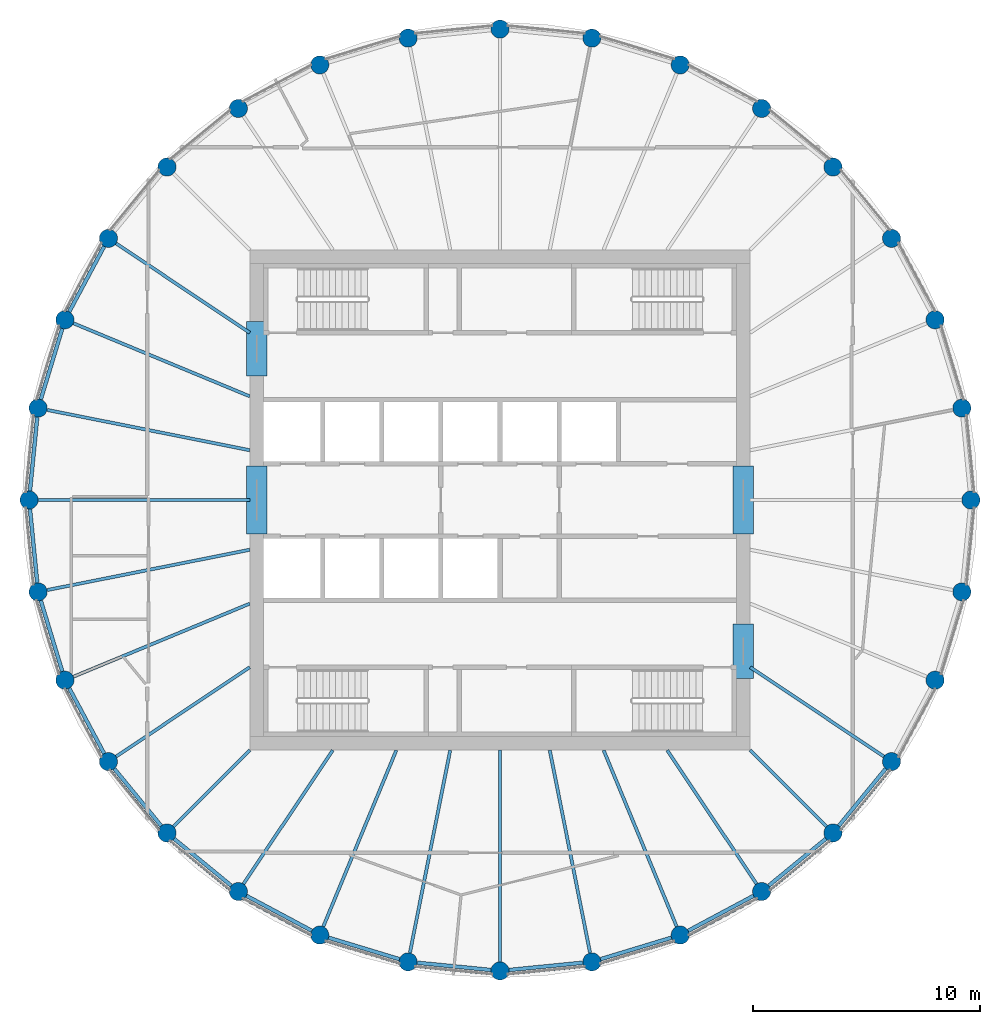
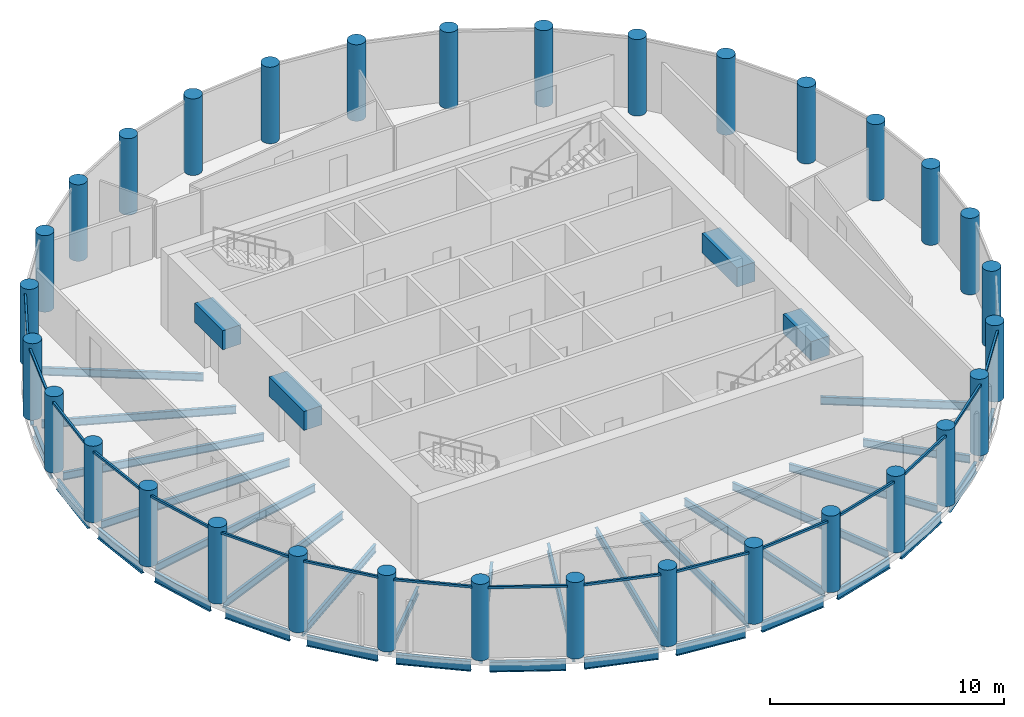
# One storey, part 1 of 7: 37 beams, 32 columns, 16 members, 16 elements without a shape of their own.
"""IFC4 building model written with IfcOpenShell, lengths in metres."""

from ifc_helpers import new_model, si_unit, direction, frame, origin, origin_2d, place, context, subcontext, project, spatial, rectangle, circle, i_section, extrude, material, material_profile, profile_set, type_object, element, aggregate, save


model = new_model("IFC4")

# Units and contexts
model_context = context("Model", 3, precision=1e-05, world=origin(), true_north=direction((0.0, 1.0)))
body_context = subcontext(model_context, "Body", "Model", "MODEL_VIEW")
ifc_project = project(units=[si_unit("LENGTHUNIT", "METRE"), si_unit("AREAUNIT", "SQUARE_METRE"), si_unit("VOLUMEUNIT", "CUBIC_METRE"), si_unit("PLANEANGLEUNIT", "RADIAN"), si_unit("MASSUNIT", "GRAM", prefix="KILO")], contexts=[model_context])

# Site, building, storey
site_placement = place(None, origin())
site = spatial("IfcSite", under=ifc_project, at=site_placement, CompositionType="ELEMENT")
building_placement = place(site_placement, origin())
building = spatial("IfcBuilding", under=site, at=building_placement, Name="Corvane Civic Tower", CompositionType="ELEMENT")
storey_placement = place(building_placement, frame((0.0, 0.0, 348.5)))
storey = spatial("IfcBuildingStorey", under=building, at=storey_placement, Name="L83", CompositionType="ELEMENT", Elevation=348.5)

# Columns
ifc_material_1 = material(Name="Concrete C60/75", Category="concrete")
ifc_material_profile_1 = material_profile(ifc_material_1, circle(Radius=0.39990234375, at=origin_2d()), Name="COLUMN 800")
ifc_profile_set_1 = profile_set([ifc_material_profile_1], Name="Concrete C60/75")
column_type = type_object("IfcColumnType", Name="RC COLUMN COLUMN 800", PredefinedType="COLUMN", material=ifc_profile_set_1)
for number, where, z_axis, x_axis, name in (
    (1, (0.0, 20.699951171875, 0.0), (0.0, 0.0, 1.0), (1.0, 0.0, 0.0), "COL-L83-F01"),
    (2, (4.038330078125, 20.30224609375, 0.0), (0.0, 0.0, 1.0), (1.0, 0.0, 0.0), "COL-L83-F02"),
    (3, (7.921630859375, 19.124267578125, 0.0), (0.0, 0.0, 1.0), (1.0, 0.0, 0.0), "COL-L83-F03"),
    (4, (11.500244140625, 17.21142578125, 0.0), (0.0, 0.0, 1.0), (1.0, 0.0, 0.0), "COL-L83-F04"),
    (5, (14.63720703125, 14.63720703125, 0.0), (0.0, 0.0, 1.0), (1.0, 0.0, 0.0), "COL-L83-F05"),
    (6, (17.21142578125, 11.500244140625, 0.0), (0.0, 0.0, 1.0), (1.0, 0.0, 0.0), "COL-L83-F06"),
    (7, (19.124267578125, 7.921630859375, 0.0), (0.0, 0.0, 1.0), (1.0, 0.0, 0.0), "COL-L83-F07"),
    (8, (20.30224609375, 4.038330078125, 0.0), (0.0, 0.0, 1.0), (1.0, 0.0, 0.0), "COL-L83-F08"),
    (9, (20.699951171875, 0.0, 0.0), (0.0, 0.0, 1.0), (1.0, 0.0, 0.0), "COL-L83-F09"),
    (10, (20.30224609375, -4.038330078125, 0.0), (0.0, 0.0, 1.0), (1.0, 0.0, 0.0), "COL-L83-F10"),
    (11, (19.124267578125, -7.921630859375, 0.0), (0.0, 0.0, 1.0), (1.0, 0.0, 0.0), "COL-L83-F11"),
    (12, (17.21142578125, -11.500244140625, 0.0), (0.0, 0.0, 1.0), (1.0, 0.0, 0.0), "COL-L83-F12"),
    (13, (14.63720703125, -14.63720703125, 0.0), (0.0, 0.0, 1.0), (1.0, 0.0, 0.0), "COL-L83-F13"),
    (14, (11.500244140625, -17.21142578125, 0.0), (0.0, 0.0, 1.0), (1.0, 0.0, 0.0), "COL-L83-F14"),
    (15, (7.921630859375, -19.124267578125, 0.0), (0.0, 0.0, 1.0), (1.0, 0.0, 0.0), "COL-L83-F15"),
    (16, (4.038330078125, -20.30224609375, 0.0), (0.0, 0.0, 1.0), (1.0, 0.0, 0.0), "COL-L83-F16"),
    (17, (0.0, -20.699951171875, 0.0), (0.0, 0.0, 1.0), (1.0, 0.0, 0.0), "COL-L83-F17"),
    (18, (-4.038330078125, -20.30224609375, 0.0), (0.0, 0.0, 1.0), (1.0, 0.0, 0.0), "COL-L83-F18"),
    (19, (-7.921630859375, -19.124267578125, 0.0), (0.0, 0.0, 1.0), (1.0, 0.0, 0.0), "COL-L83-F19"),
    (20, (-11.500244140625, -17.21142578125, 0.0), (0.0, 0.0, 1.0), (1.0, 0.0, 0.0), "COL-L83-F20"),
    (21, (-14.63720703125, -14.63720703125, 0.0), (0.0, 0.0, 1.0), (1.0, 0.0, 0.0), "COL-L83-F21"),
    (22, (-17.21142578125, -11.500244140625, 0.0), (0.0, 0.0, 1.0), (1.0, 0.0, 0.0), "COL-L83-F22"),
    (23, (-19.124267578125, -7.921630859375, 0.0), (0.0, 0.0, 1.0), (1.0, 0.0, 0.0), "COL-L83-F23"),
    (24, (-20.30224609375, -4.038330078125, 0.0), (0.0, 0.0, 1.0), (1.0, 0.0, 0.0), "COL-L83-F24"),
    (25, (-20.699951171875, 0.0, 0.0), (0.0, 0.0, 1.0), (1.0, 0.0, 0.0), "COL-L83-F25"),
    (26, (-20.30224609375, 4.038330078125, 0.0), (0.0, 0.0, 1.0), (1.0, 0.0, 0.0), "COL-L83-F26"),
    (27, (-19.124267578125, 7.921630859375, 0.0), (0.0, 0.0, 1.0), (1.0, 0.0, 0.0), "COL-L83-F27"),
    (28, (-17.21142578125, 11.500244140625, 0.0), (0.0, 0.0, 1.0), (1.0, 0.0, 0.0), "COL-L83-F28"),
    (29, (-14.63720703125, 14.63720703125, 0.0), (0.0, 0.0, 1.0), (1.0, 0.0, 0.0), "COL-L83-F29"),
    (30, (-11.500244140625, 17.21142578125, 0.0), (0.0, 0.0, 1.0), (1.0, 0.0, 0.0), "COL-L83-F30"),
    (31, (-7.921630859375, 19.124267578125, 0.0), (0.0, 0.0, 1.0), (1.0, 0.0, 0.0), "COL-L83-F31"),
    (32, (-4.038330078125, 20.30224609375, 0.0), (0.0, 0.0, 1.0), (1.0, 0.0, 0.0), "COL-L83-F32"),
):
    element("IfcColumn", number, at=place(storey_placement, frame(where, z_axis=z_axis, x_axis=x_axis)), inside=storey, type_object=column_type, Name=name, PredefinedType="COLUMN", context=body_context, shape_type="SweptSolid", body=[
        extrude(circle(Radius=0.39990234375, at=origin_2d()), origin(), (0.0, 0.0, 1.0), 4.0),
    ])

# Beams
ifc_material_2 = material(Name="Concrete C40/50", Category="concrete")
ifc_material_profile_2 = material_profile(ifc_material_2, rectangle(XDim=0.89990234375, YDim=1.0, at=origin_2d()), Name="COUPLING BEAM 900X1000")
ifc_profile_set_2 = profile_set([ifc_material_profile_2], Name="Concrete C40/50")
beam_type_1 = type_object("IfcBeamType", Name="COUPLING BEAM COUPLING BEAM 900X1000", PredefinedType="BEAM", material=ifc_profile_set_2)
for number, where, z_axis, x_axis, name in (
    (33, (-10.699951171875, -1.5, 2.60009765625), (0.0, 1.0, 0.0), (-1.0, 0.0, 0.0), "BM-L83-cpl-CW-LW"),
    (34, (10.699951171875, -1.5, 2.60009765625), (0.0, 1.0, 0.0), (-1.0, 0.0, 0.0), "BM-L83-cpl-CW-LE"),
):
    element("IfcBeam", number, at=place(storey_placement, frame(where, z_axis=z_axis, x_axis=x_axis)), inside=storey, type_object=beam_type_1, Name=name, PredefinedType="BEAM", context=body_context, shape_type="SweptSolid", body=[
        extrude(rectangle(XDim=0.89990234375, YDim=1.0, at=origin_2d()), origin(), (0.0, 0.0, 1.0), 3.0),
    ])
for number, where, z_axis, x_axis, name in (
    (35, (-10.699951171875, 5.449951171875, 2.60009765625), (0.0, 1.0, 0.0), (-1.0, 0.0, 0.0), "BM-L83-cpl-CW-WN"),
    (36, (10.699951171875, -7.85009765625, 2.60009765625), (0.0, 1.0, 0.0), (-1.0, 0.0, 0.0), "BM-L83-cpl-CW-ES"),
):
    element("IfcBeam", number, at=place(storey_placement, frame(where, z_axis=z_axis, x_axis=x_axis)), inside=storey, type_object=beam_type_1, Name=name, PredefinedType="BEAM", context=body_context, shape_type="SweptSolid", body=[
        extrude(rectangle(XDim=0.89990234375, YDim=1.0, at=origin_2d()), origin(), (0.0, 0.0, 1.0), 2.400146484375),
    ])
ifc_material_3 = material(Name="Steel ASTM A992 Gr 50", Category="steel")
ifc_material_profile_3 = material_profile(ifc_material_3, i_section(OverallWidth=0.165771484375, OverallDepth=0.5283203125, WebThickness=0.009765625, FlangeThickness=0.013671875, at=origin_2d()), Name="W21X50")
ifc_profile_set_3 = profile_set([ifc_material_profile_3], Name="Steel ASTM A992 Gr 50")
beam_type_2 = type_object("IfcBeamType", Name="EDGE BEAM W21X50", PredefinedType="BEAM", material=ifc_profile_set_3)
for number, where, z_axis, x_axis, name in (
    (37, (16.957763671875, -11.8095703125, -0.564208984375), (-0.634424551454, -0.772984791903, 0.0), (0.772984791903, -0.634424551454, 0.0), "BM-L83-E12"),
    (38, (14.327880859375, -14.890869140625, -0.564208984375), (-0.772984791903, -0.634424551454, 0.0), (0.634424551454, -0.772984791903, 0.0), "BM-L83-E13"),
    (39, (11.1474609375, -17.39990234375, -0.564208984375), (-0.881894065907, -0.471447618, 0.0), (0.471447618, -0.881894065907, 0.0), "BM-L83-E14"),
    (40, (7.538818359375, -19.240478515625, -0.564208984375), (-0.956955679349, -0.290234091317, 0.0), (0.290234091317, -0.956955679349, 0.0), "BM-L83-E15"),
):
    element("IfcBeam", number, at=place(storey_placement, frame(where, z_axis=z_axis, x_axis=x_axis)), inside=storey, type_object=beam_type_2, Name=name, PredefinedType="BEAM", context=body_context, shape_type="SweptSolid", body=[
        extrude(i_section(OverallWidth=0.165771484375, OverallDepth=0.5283203125, WebThickness=0.009765625, FlangeThickness=0.013671875, at=origin_2d()), origin(), (0.0, 0.0, 1.0), 3.2578125),
    ])
for number, where, z_axis, x_axis, name in (
    (41, (3.640380859375, -20.341552734375, -0.564208984375), (-0.995192503142, -0.097938152369, 0.0), (0.097938152369, -0.995192503142, 0.0), "BM-L83-E16"),
    (42, (-0.39794921875, -20.66064453125, -0.564208984375), (-0.995192503142, 0.097938152369, 0.0), (-0.097938152369, -0.995192503142, 0.0), "BM-L83-E17"),
):
    element("IfcBeam", number, at=place(storey_placement, frame(where, z_axis=z_axis, x_axis=x_axis)), inside=storey, type_object=beam_type_2, Name=name, PredefinedType="BEAM", context=body_context, shape_type="SweptSolid", body=[
        extrude(i_section(OverallWidth=0.165771484375, OverallDepth=0.5283203125, WebThickness=0.009765625, FlangeThickness=0.013671875, at=origin_2d()), origin(), (0.0, 0.0, 1.0), 3.258056640625),
    ])
for number, where, z_axis, x_axis, name in (
    (43, (-4.421142578125, -20.18603515625, -0.564208984375), (-0.956955679349, 0.290234091317, 0.0), (-0.290234091317, -0.956955679349, 0.0), "BM-L83-E18"),
    (44, (-8.2744140625, -18.935791015625, -0.564208984375), (-0.881894065907, 0.471447618, 0.0), (-0.471447618, -0.881894065907, 0.0), "BM-L83-E19"),
    (45, (-11.8095703125, -16.957763671875, -0.564208984375), (-0.772984791903, 0.634424551454, 0.0), (-0.634424551454, -0.772984791903, 0.0), "BM-L83-E20"),
    (46, (-14.890869140625, -14.327880859375, -0.564208984375), (-0.634424551454, 0.772984791903, 0.0), (-0.772984791903, -0.634424551454, 0.0), "BM-L83-E21"),
    (47, (-17.39990234375, -11.1474609375, -0.564208984375), (-0.471447618, 0.881894065907, 0.0), (-0.881894065907, -0.471447618, 0.0), "BM-L83-E22"),
    (48, (-19.240478515625, -7.538818359375, -0.564208984375), (-0.290234091317, 0.956955679349, 0.0), (-0.956955679349, -0.290234091317, 0.0), "BM-L83-E23"),
):
    element("IfcBeam", number, at=place(storey_placement, frame(where, z_axis=z_axis, x_axis=x_axis)), inside=storey, type_object=beam_type_2, Name=name, PredefinedType="BEAM", context=body_context, shape_type="SweptSolid", body=[
        extrude(i_section(OverallWidth=0.165771484375, OverallDepth=0.5283203125, WebThickness=0.009765625, FlangeThickness=0.013671875, at=origin_2d()), origin(), (0.0, 0.0, 1.0), 3.2578125),
    ])
for number, where, z_axis, x_axis, name in (
    (49, (-20.341552734375, -3.640380859375, -0.564208984375), (-0.097938152369, 0.995192503142, 0.0), (-0.995192503142, -0.097938152369, 0.0), "BM-L83-E24"),
    (50, (-20.66064453125, 0.39794921875, -0.564208984375), (0.097938152369, 0.995192503142, 0.0), (-0.995192503142, 0.097938152369, 0.0), "BM-L83-E25"),
):
    element("IfcBeam", number, at=place(storey_placement, frame(where, z_axis=z_axis, x_axis=x_axis)), inside=storey, type_object=beam_type_2, Name=name, PredefinedType="BEAM", context=body_context, shape_type="SweptSolid", body=[
        extrude(i_section(OverallWidth=0.165771484375, OverallDepth=0.5283203125, WebThickness=0.009765625, FlangeThickness=0.013671875, at=origin_2d()), origin(), (0.0, 0.0, 1.0), 3.258056640625),
    ])
for number, where, z_axis, x_axis, name in (
    (51, (-20.18603515625, 4.421142578125, -0.564208984375), (0.290234091317, 0.956955679349, 0.0), (-0.956955679349, 0.290234091317, 0.0), "BM-L83-E26"),
    (52, (-18.935791015625, 8.2744140625, -0.564208984375), (0.471447618, 0.881894065907, 0.0), (-0.881894065907, 0.471447618, 0.0), "BM-L83-E27"),
):
    element("IfcBeam", number, at=place(storey_placement, frame(where, z_axis=z_axis, x_axis=x_axis)), inside=storey, type_object=beam_type_2, Name=name, PredefinedType="BEAM", context=body_context, shape_type="SweptSolid", body=[
        extrude(i_section(OverallWidth=0.165771484375, OverallDepth=0.5283203125, WebThickness=0.009765625, FlangeThickness=0.013671875, at=origin_2d()), origin(), (0.0, 0.0, 1.0), 3.2578125),
    ])
ifc_material_4 = material(Name="Steel ASTM A992 Gr 50", Category="steel")
ifc_material_profile_4 = material_profile(ifc_material_4, i_section(OverallWidth=0.140380859375, OverallDepth=0.40380859375, WebThickness=0.007080078125, FlangeThickness=0.01123046875, at=origin_2d()), Name="W16X31")
ifc_profile_set_4 = profile_set([ifc_material_profile_4], Name="Steel ASTM A992 Gr 50")
beam_type_3 = type_object("IfcBeamType", Name="FLOOR GIRDER W16X31", PredefinedType="BEAM", material=ifc_profile_set_4)
beam_1_placement = place(storey_placement, frame((11.0, -7.349853515625, -0.501953125), z_axis=(0.831465490699, -0.555576401385, 0.0), x_axis=(0.555576401385, 0.831465490699, 0.0)))
element("IfcBeam", 53, at=beam_1_placement, inside=storey, type_object=beam_type_3, Name="BM-L83-G12", PredefinedType="BEAM", context=body_context, shape_type="SweptSolid", body=[
    extrude(i_section(OverallWidth=0.140380859375, OverallDepth=0.40380859375, WebThickness=0.007080078125, FlangeThickness=0.01123046875, at=origin_2d()), origin(), (0.0, 0.0, 1.0), 7.070556640625),
])
beam_2_placement = place(storey_placement, frame((11.0, -11.0, -0.501953125), z_axis=(0.707106781187, -0.707106781187, 0.0), x_axis=(0.707106781187, 0.707106781187, 0.0)))
element("IfcBeam", 54, at=beam_2_placement, inside=storey, type_object=beam_type_3, Name="BM-L83-G13", PredefinedType="BEAM", context=body_context, shape_type="SweptSolid", body=[
    extrude(i_section(OverallWidth=0.140380859375, OverallDepth=0.40380859375, WebThickness=0.007080078125, FlangeThickness=0.01123046875, at=origin_2d()), origin(), (0.0, 0.0, 1.0), 4.74365234375),
])
beam_3_placement = place(storey_placement, frame((7.349853515625, -11.0, -0.501953125), z_axis=(0.555576401385, -0.831465490699, 0.0), x_axis=(0.831465490699, 0.555576401385, 0.0)))
element("IfcBeam", 55, at=beam_3_placement, inside=storey, type_object=beam_type_3, Name="BM-L83-G14", PredefinedType="BEAM", context=body_context, shape_type="SweptSolid", body=[
    extrude(i_section(OverallWidth=0.140380859375, OverallDepth=0.40380859375, WebThickness=0.007080078125, FlangeThickness=0.01123046875, at=origin_2d()), origin(), (0.0, 0.0, 1.0), 7.070556640625),
])
beam_4_placement = place(storey_placement, frame((4.556396484375, -11.0, -0.501953125), z_axis=(0.382691739894, -0.923876091377, 0.0), x_axis=(0.923876091377, 0.382691739894, 0.0)))
element("IfcBeam", 56, at=beam_4_placement, inside=storey, type_object=beam_type_3, Name="BM-L83-G15", PredefinedType="BEAM", context=body_context, shape_type="SweptSolid", body=[
    extrude(i_section(OverallWidth=0.140380859375, OverallDepth=0.40380859375, WebThickness=0.007080078125, FlangeThickness=0.01123046875, at=origin_2d()), origin(), (0.0, 0.0, 1.0), 8.3935546875),
])
beam_5_placement = place(storey_placement, frame((2.18798828125, -11.0, -0.501953125), z_axis=(0.195108241061, -0.980781715913, 0.0), x_axis=(0.980781715913, 0.195108241061, 0.0)))
element("IfcBeam", 57, at=beam_5_placement, inside=storey, type_object=beam_type_3, Name="BM-L83-G16", PredefinedType="BEAM", context=body_context, shape_type="SweptSolid", body=[
    extrude(i_section(OverallWidth=0.140380859375, OverallDepth=0.40380859375, WebThickness=0.007080078125, FlangeThickness=0.01123046875, at=origin_2d()), origin(), (0.0, 0.0, 1.0), 9.08447265625),
])
beam_6_placement = place(storey_placement, frame((0.0, -11.0, -0.501953125), z_axis=(0.0, -1.0, 0.0), x_axis=(1.0, 0.0, 0.0)))
element("IfcBeam", 58, at=beam_6_placement, inside=storey, type_object=beam_type_3, Name="BM-L83-G17", PredefinedType="BEAM", context=body_context, shape_type="SweptSolid", body=[
    extrude(i_section(OverallWidth=0.140380859375, OverallDepth=0.40380859375, WebThickness=0.007080078125, FlangeThickness=0.01123046875, at=origin_2d()), origin(), (0.0, 0.0, 1.0), 9.300048828125),
])
beam_7_placement = place(storey_placement, frame((-2.18798828125, -11.0, -0.501953125), z_axis=(-0.195108241061, -0.980781715913, 0.0), x_axis=(0.980781715913, -0.195108241061, 0.0)))
element("IfcBeam", 59, at=beam_7_placement, inside=storey, type_object=beam_type_3, Name="BM-L83-G18", PredefinedType="BEAM", context=body_context, shape_type="SweptSolid", body=[
    extrude(i_section(OverallWidth=0.140380859375, OverallDepth=0.40380859375, WebThickness=0.007080078125, FlangeThickness=0.01123046875, at=origin_2d()), origin(), (0.0, 0.0, 1.0), 9.08447265625),
])
beam_8_placement = place(storey_placement, frame((-4.556396484375, -11.0, -0.501953125), z_axis=(-0.382691739894, -0.923876091377, 0.0), x_axis=(0.923876091377, -0.382691739894, 0.0)))
element("IfcBeam", 60, at=beam_8_placement, inside=storey, type_object=beam_type_3, Name="BM-L83-G19", PredefinedType="BEAM", context=body_context, shape_type="SweptSolid", body=[
    extrude(i_section(OverallWidth=0.140380859375, OverallDepth=0.40380859375, WebThickness=0.007080078125, FlangeThickness=0.01123046875, at=origin_2d()), origin(), (0.0, 0.0, 1.0), 8.3935546875),
])
beam_9_placement = place(storey_placement, frame((-7.349853515625, -11.0, -0.501953125), z_axis=(-0.555576401385, -0.831465490699, 0.0), x_axis=(0.831465490699, -0.555576401385, 0.0)))
element("IfcBeam", 61, at=beam_9_placement, inside=storey, type_object=beam_type_3, Name="BM-L83-G20", PredefinedType="BEAM", context=body_context, shape_type="SweptSolid", body=[
    extrude(i_section(OverallWidth=0.140380859375, OverallDepth=0.40380859375, WebThickness=0.007080078125, FlangeThickness=0.01123046875, at=origin_2d()), origin(), (0.0, 0.0, 1.0), 7.070556640625),
])
beam_10_placement = place(storey_placement, frame((-11.0, -11.0, -0.501953125), z_axis=(-0.707106781187, -0.707106781187, 0.0), x_axis=(0.707106781187, -0.707106781187, 0.0)))
element("IfcBeam", 62, at=beam_10_placement, inside=storey, type_object=beam_type_3, Name="BM-L83-G21", PredefinedType="BEAM", context=body_context, shape_type="SweptSolid", body=[
    extrude(i_section(OverallWidth=0.140380859375, OverallDepth=0.40380859375, WebThickness=0.007080078125, FlangeThickness=0.01123046875, at=origin_2d()), origin(), (0.0, 0.0, 1.0), 4.74365234375),
])
beam_11_placement = place(storey_placement, frame((-11.0, -7.349853515625, -0.501953125), z_axis=(-0.831465490699, -0.555576401385, 0.0), x_axis=(0.555576401385, -0.831465490699, 0.0)))
element("IfcBeam", 63, at=beam_11_placement, inside=storey, type_object=beam_type_3, Name="BM-L83-G22", PredefinedType="BEAM", context=body_context, shape_type="SweptSolid", body=[
    extrude(i_section(OverallWidth=0.140380859375, OverallDepth=0.40380859375, WebThickness=0.007080078125, FlangeThickness=0.01123046875, at=origin_2d()), origin(), (0.0, 0.0, 1.0), 7.070556640625),
])
beam_12_placement = place(storey_placement, frame((-11.0, -4.556396484375, -0.501953125), z_axis=(-0.923876091377, -0.382691739894, 0.0), x_axis=(0.382691739894, -0.923876091377, 0.0)))
element("IfcBeam", 64, at=beam_12_placement, inside=storey, type_object=beam_type_3, Name="BM-L83-G23", PredefinedType="BEAM", context=body_context, shape_type="SweptSolid", body=[
    extrude(i_section(OverallWidth=0.140380859375, OverallDepth=0.40380859375, WebThickness=0.007080078125, FlangeThickness=0.01123046875, at=origin_2d()), origin(), (0.0, 0.0, 1.0), 8.3935546875),
])
beam_13_placement = place(storey_placement, frame((-11.0, -2.18798828125, -0.501953125), z_axis=(-0.980781715913, -0.195108241061, 0.0), x_axis=(0.195108241061, -0.980781715913, 0.0)))
element("IfcBeam", 65, at=beam_13_placement, inside=storey, type_object=beam_type_3, Name="BM-L83-G24", PredefinedType="BEAM", context=body_context, shape_type="SweptSolid", body=[
    extrude(i_section(OverallWidth=0.140380859375, OverallDepth=0.40380859375, WebThickness=0.007080078125, FlangeThickness=0.01123046875, at=origin_2d()), origin(), (0.0, 0.0, 1.0), 9.08447265625),
])
beam_14_placement = place(storey_placement, frame((-11.0, 0.0, -0.501953125), z_axis=(-1.0, 0.0, 0.0), x_axis=(0.0, -1.0, 0.0)))
element("IfcBeam", 66, at=beam_14_placement, inside=storey, type_object=beam_type_3, Name="BM-L83-G25", PredefinedType="BEAM", context=body_context, shape_type="SweptSolid", body=[
    extrude(i_section(OverallWidth=0.140380859375, OverallDepth=0.40380859375, WebThickness=0.007080078125, FlangeThickness=0.01123046875, at=origin_2d()), origin(), (0.0, 0.0, 1.0), 9.300048828125),
])
beam_15_placement = place(storey_placement, frame((-11.0, 2.18798828125, -0.501953125), z_axis=(-0.980781715913, 0.195108241061, 0.0), x_axis=(-0.195108241061, -0.980781715913, 0.0)))
element("IfcBeam", 67, at=beam_15_placement, inside=storey, type_object=beam_type_3, Name="BM-L83-G26", PredefinedType="BEAM", context=body_context, shape_type="SweptSolid", body=[
    extrude(i_section(OverallWidth=0.140380859375, OverallDepth=0.40380859375, WebThickness=0.007080078125, FlangeThickness=0.01123046875, at=origin_2d()), origin(), (0.0, 0.0, 1.0), 9.08447265625),
])
beam_16_placement = place(storey_placement, frame((-11.0, 4.556396484375, -0.501953125), z_axis=(-0.923876091377, 0.382691739894, 0.0), x_axis=(-0.382691739894, -0.923876091377, 0.0)))
element("IfcBeam", 68, at=beam_16_placement, inside=storey, type_object=beam_type_3, Name="BM-L83-G27", PredefinedType="BEAM", context=body_context, shape_type="SweptSolid", body=[
    extrude(i_section(OverallWidth=0.140380859375, OverallDepth=0.40380859375, WebThickness=0.007080078125, FlangeThickness=0.01123046875, at=origin_2d()), origin(), (0.0, 0.0, 1.0), 8.3935546875),
])
beam_17_placement = place(storey_placement, frame((-11.0, 7.349853515625, -0.501953125), z_axis=(-0.831465490699, 0.555576401385, 0.0), x_axis=(-0.555576401385, -0.831465490699, 0.0)))
element("IfcBeam", 69, at=beam_17_placement, inside=storey, type_object=beam_type_3, Name="BM-L83-G28", PredefinedType="BEAM", context=body_context, shape_type="SweptSolid", body=[
    extrude(i_section(OverallWidth=0.140380859375, OverallDepth=0.40380859375, WebThickness=0.007080078125, FlangeThickness=0.01123046875, at=origin_2d()), origin(), (0.0, 0.0, 1.0), 7.070556640625),
])

# Curtain wall, member
ifc_material_5 = material(Name="Anodised aluminium bronze", Category="aluminium")
curtain_wall_type = type_object("IfcCurtainWallType", Name="TOWER CW-T3 STICK CURTAIN WALL", PredefinedType="NOTDEFINED", material=ifc_material_5)
curtain_wall_1_placement = place(storey_placement, origin())
curtain_wall_1 = element("IfcCurtainWall", 70, at=curtain_wall_1_placement, inside=storey, type_object=curtain_wall_type, Name="Curtain wall CW-T3 L83 bay 12", PredefinedType="NOTDEFINED")
ifc_material_6 = material(Name="Anodised aluminium bronze", Category="aluminium")
ifc_material_profile_5 = material_profile(ifc_material_6, rectangle(XDim=0.10009765625, YDim=0.1201171875, at=origin_2d()), Name="TOWER CW-T3 TRANSOM 100x120")
ifc_profile_set_5 = profile_set([ifc_material_profile_5], Name="Anodised aluminium bronze")
member_type = type_object("IfcMemberType", Name="TOWER CW-T3 TRANSOM 100x120", PredefinedType="USERDEFINED", material=ifc_profile_set_5)
member_1_placement = place(storey_placement, frame((17.14208984375, -11.8671875, 3.68994140625), z_axis=(-0.634393571736, -0.773010217358, 0.0), x_axis=(0.773010217358, -0.634393571736, 0.0)))
member_1 = element("IfcMember", 71, at=member_1_placement, type_object=member_type, Name="Transom CW-T3 L83 12.1", ObjectType="TRANSOM", PredefinedType="USERDEFINED", context=body_context, shape_type="SweptSolid", body=[
    extrude(rectangle(XDim=0.10009765625, YDim=0.1201171875, at=origin_2d()), origin(), (0.0, 0.0, 1.0), 3.40283203125),
])
aggregate(curtain_wall_1, [member_1])

curtain_wall_2_placement = place(storey_placement, origin())
curtain_wall_2 = element("IfcCurtainWall", 72, at=curtain_wall_2_placement, inside=storey, type_object=curtain_wall_type, Name="Curtain wall CW-T3 L83 bay 13", PredefinedType="NOTDEFINED")
member_2_placement = place(storey_placement, frame((14.49755859375, -14.9833984375, 3.68994140625), z_axis=(-0.773010217358, -0.634393571736, 0.0), x_axis=(0.634393571736, -0.773010217358, 0.0)))
member_2 = element("IfcMember", 73, at=member_2_placement, type_object=member_type, Name="Transom CW-T3 L83 13.1", ObjectType="TRANSOM", PredefinedType="USERDEFINED", context=body_context, shape_type="SweptSolid", body=[
    extrude(rectangle(XDim=0.10009765625, YDim=0.1201171875, at=origin_2d()), origin(), (0.0, 0.0, 1.0), 3.40283203125),
])
aggregate(curtain_wall_2, [member_2])

curtain_wall_3_placement = place(storey_placement, origin())
curtain_wall_3 = element("IfcCurtainWall", 74, at=curtain_wall_3_placement, inside=storey, type_object=curtain_wall_type, Name="Curtain wall CW-T3 L83 bay 14", PredefinedType="NOTDEFINED")
member_3_placement = place(storey_placement, frame((11.295654296875, -17.52392578125, 3.68994140625), z_axis=(-0.881941440444, -0.471358988063, 0.0), x_axis=(0.471358988063, -0.881941440444, 0.0)))
member_3 = element("IfcMember", 75, at=member_3_placement, type_object=member_type, Name="Transom CW-T3 L83 14.1", ObjectType="TRANSOM", PredefinedType="USERDEFINED", context=body_context, shape_type="SweptSolid", body=[
    extrude(rectangle(XDim=0.10009765625, YDim=0.1201171875, at=origin_2d()), origin(), (0.0, 0.0, 1.0), 3.40234375),
])
aggregate(curtain_wall_3, [member_3])

curtain_wall_4_placement = place(storey_placement, origin())
curtain_wall_4 = element("IfcCurtainWall", 76, at=curtain_wall_4_placement, inside=storey, type_object=curtain_wall_type, Name="Curtain wall CW-T3 L83 bay 15", PredefinedType="NOTDEFINED")
member_4_placement = place(storey_placement, frame((7.66015625, -19.390869140625, 3.68994140625), z_axis=(-0.956961022204, -0.290216474345, 0.0), x_axis=(0.290216474345, -0.956961022204, 0.0)))
member_4 = element("IfcMember", 77, at=member_4_placement, type_object=member_type, Name="Transom CW-T3 L83 15.1", ObjectType="TRANSOM", PredefinedType="USERDEFINED", context=body_context, shape_type="SweptSolid", body=[
    extrude(rectangle(XDim=0.10009765625, YDim=0.1201171875, at=origin_2d()), origin(), (0.0, 0.0, 1.0), 3.40283203125),
])
aggregate(curtain_wall_4, [member_4])

curtain_wall_5_placement = place(storey_placement, origin())
curtain_wall_5 = element("IfcCurtainWall", 78, at=curtain_wall_5_placement, inside=storey, type_object=curtain_wall_type, Name="Curtain wall CW-T3 L83 bay 16", PredefinedType="NOTDEFINED")
member_5_placement = place(storey_placement, frame((3.729736328125, -20.5126953125, 3.68994140625), z_axis=(-0.995191564676, -0.097947688066, 0.0), x_axis=(0.097947688066, -0.995191564676, 0.0)))
member_5 = element("IfcMember", 79, at=member_5_placement, type_object=member_type, Name="Transom CW-T3 L83 16.1", ObjectType="TRANSOM", PredefinedType="USERDEFINED", context=body_context, shape_type="SweptSolid", body=[
    extrude(rectangle(XDim=0.10009765625, YDim=0.1201171875, at=origin_2d()), origin(), (0.0, 0.0, 1.0), 3.40234375),
])
aggregate(curtain_wall_5, [member_5])

curtain_wall_6_placement = place(storey_placement, origin())
curtain_wall_6 = element("IfcCurtainWall", 80, at=curtain_wall_6_placement, inside=storey, type_object=curtain_wall_type, Name="Curtain wall CW-T3 L83 bay 17", PredefinedType="NOTDEFINED")
member_6_placement = place(storey_placement, frame((-0.34375, -20.845947265625, 3.68994140625), z_axis=(-0.995191564676, 0.097947688066, 0.0), x_axis=(-0.097947688066, -0.995191564676, 0.0)))
member_6 = element("IfcMember", 81, at=member_6_placement, type_object=member_type, Name="Transom CW-T3 L83 17.1", ObjectType="TRANSOM", PredefinedType="USERDEFINED", context=body_context, shape_type="SweptSolid", body=[
    extrude(rectangle(XDim=0.10009765625, YDim=0.1201171875, at=origin_2d()), origin(), (0.0, 0.0, 1.0), 3.40234375),
])
aggregate(curtain_wall_6, [member_6])

curtain_wall_7_placement = place(storey_placement, origin())
curtain_wall_7 = element("IfcCurtainWall", 82, at=curtain_wall_7_placement, inside=storey, type_object=curtain_wall_type, Name="Curtain wall CW-T3 L83 bay 18", PredefinedType="NOTDEFINED")
member_7_placement = place(storey_placement, frame((-4.40380859375, -20.37841796875, 3.68994140625), z_axis=(-0.956961022204, 0.290216474345, 0.0), x_axis=(-0.290216474345, -0.956961022204, 0.0)))
member_7 = element("IfcMember", 83, at=member_7_placement, type_object=member_type, Name="Transom CW-T3 L83 18.1", ObjectType="TRANSOM", PredefinedType="USERDEFINED", context=body_context, shape_type="SweptSolid", body=[
    extrude(rectangle(XDim=0.10009765625, YDim=0.1201171875, at=origin_2d()), origin(), (0.0, 0.0, 1.0), 3.40283203125),
])
aggregate(curtain_wall_7, [member_7])

curtain_wall_8_placement = place(storey_placement, origin())
curtain_wall_8 = element("IfcCurtainWall", 84, at=curtain_wall_8_placement, inside=storey, type_object=curtain_wall_type, Name="Curtain wall CW-T3 L83 bay 19", PredefinedType="NOTDEFINED")
member_8_placement = place(storey_placement, frame((-8.294921875, -19.127685546875, 3.68994140625), z_axis=(-0.881941440444, 0.471358988063, 0.0), x_axis=(-0.471358988063, -0.881941440444, 0.0)))
member_8 = element("IfcMember", 85, at=member_8_placement, type_object=member_type, Name="Transom CW-T3 L83 19.1", ObjectType="TRANSOM", PredefinedType="USERDEFINED", context=body_context, shape_type="SweptSolid", body=[
    extrude(rectangle(XDim=0.10009765625, YDim=0.1201171875, at=origin_2d()), origin(), (0.0, 0.0, 1.0), 3.40234375),
])
aggregate(curtain_wall_8, [member_8])

curtain_wall_9_placement = place(storey_placement, origin())
curtain_wall_9 = element("IfcCurtainWall", 86, at=curtain_wall_9_placement, inside=storey, type_object=curtain_wall_type, Name="Curtain wall CW-T3 L83 bay 20", PredefinedType="NOTDEFINED")
member_9_placement = place(storey_placement, frame((-11.8671875, -17.14208984375, 3.68994140625), z_axis=(-0.773010217358, 0.634393571736, 0.0), x_axis=(-0.634393571736, -0.773010217358, 0.0)))
member_9 = element("IfcMember", 87, at=member_9_placement, type_object=member_type, Name="Transom CW-T3 L83 20.1", ObjectType="TRANSOM", PredefinedType="USERDEFINED", context=body_context, shape_type="SweptSolid", body=[
    extrude(rectangle(XDim=0.10009765625, YDim=0.1201171875, at=origin_2d()), origin(), (0.0, 0.0, 1.0), 3.40283203125),
])
aggregate(curtain_wall_9, [member_9])

curtain_wall_10_placement = place(storey_placement, origin())
curtain_wall_10 = element("IfcCurtainWall", 88, at=curtain_wall_10_placement, inside=storey, type_object=curtain_wall_type, Name="Curtain wall CW-T3 L83 bay 21", PredefinedType="NOTDEFINED")
member_10_placement = place(storey_placement, frame((-14.9833984375, -14.49755859375, 3.68994140625), z_axis=(-0.634393571736, 0.773010217358, 0.0), x_axis=(-0.773010217358, -0.634393571736, 0.0)))
member_10 = element("IfcMember", 89, at=member_10_placement, type_object=member_type, Name="Transom CW-T3 L83 21.1", ObjectType="TRANSOM", PredefinedType="USERDEFINED", context=body_context, shape_type="SweptSolid", body=[
    extrude(rectangle(XDim=0.10009765625, YDim=0.1201171875, at=origin_2d()), origin(), (0.0, 0.0, 1.0), 3.40283203125),
])
aggregate(curtain_wall_10, [member_10])

curtain_wall_11_placement = place(storey_placement, origin())
curtain_wall_11 = element("IfcCurtainWall", 90, at=curtain_wall_11_placement, inside=storey, type_object=curtain_wall_type, Name="Curtain wall CW-T3 L83 bay 22", PredefinedType="NOTDEFINED")
member_11_placement = place(storey_placement, frame((-17.52392578125, -11.295654296875, 3.68994140625), z_axis=(-0.471358988063, 0.881941440444, 0.0), x_axis=(-0.881941440444, -0.471358988063, 0.0)))
member_11 = element("IfcMember", 91, at=member_11_placement, type_object=member_type, Name="Transom CW-T3 L83 22.1", ObjectType="TRANSOM", PredefinedType="USERDEFINED", context=body_context, shape_type="SweptSolid", body=[
    extrude(rectangle(XDim=0.10009765625, YDim=0.1201171875, at=origin_2d()), origin(), (0.0, 0.0, 1.0), 3.40234375),
])
aggregate(curtain_wall_11, [member_11])

curtain_wall_12_placement = place(storey_placement, origin())
curtain_wall_12 = element("IfcCurtainWall", 92, at=curtain_wall_12_placement, inside=storey, type_object=curtain_wall_type, Name="Curtain wall CW-T3 L83 bay 23", PredefinedType="NOTDEFINED")
member_12_placement = place(storey_placement, frame((-19.390869140625, -7.66015625, 3.68994140625), z_axis=(-0.290216474345, 0.956961022204, 0.0), x_axis=(-0.956961022204, -0.290216474345, 0.0)))
member_12 = element("IfcMember", 93, at=member_12_placement, type_object=member_type, Name="Transom CW-T3 L83 23.1", ObjectType="TRANSOM", PredefinedType="USERDEFINED", context=body_context, shape_type="SweptSolid", body=[
    extrude(rectangle(XDim=0.10009765625, YDim=0.1201171875, at=origin_2d()), origin(), (0.0, 0.0, 1.0), 3.40283203125),
])
aggregate(curtain_wall_12, [member_12])

curtain_wall_13_placement = place(storey_placement, origin())
curtain_wall_13 = element("IfcCurtainWall", 94, at=curtain_wall_13_placement, inside=storey, type_object=curtain_wall_type, Name="Curtain wall CW-T3 L83 bay 24", PredefinedType="NOTDEFINED")
member_13_placement = place(storey_placement, frame((-20.5126953125, -3.729736328125, 3.68994140625), z_axis=(-0.097947688066, 0.995191564676, 0.0), x_axis=(-0.995191564676, -0.097947688066, 0.0)))
member_13 = element("IfcMember", 95, at=member_13_placement, type_object=member_type, Name="Transom CW-T3 L83 24.1", ObjectType="TRANSOM", PredefinedType="USERDEFINED", context=body_context, shape_type="SweptSolid", body=[
    extrude(rectangle(XDim=0.10009765625, YDim=0.1201171875, at=origin_2d()), origin(), (0.0, 0.0, 1.0), 3.40234375),
])
aggregate(curtain_wall_13, [member_13])

curtain_wall_14_placement = place(storey_placement, origin())
curtain_wall_14 = element("IfcCurtainWall", 96, at=curtain_wall_14_placement, inside=storey, type_object=curtain_wall_type, Name="Curtain wall CW-T3 L83 bay 25", PredefinedType="NOTDEFINED")
member_14_placement = place(storey_placement, frame((-20.845947265625, 0.34375, 3.68994140625), z_axis=(0.097947688066, 0.995191564676, 0.0), x_axis=(-0.995191564676, 0.097947688066, 0.0)))
member_14 = element("IfcMember", 97, at=member_14_placement, type_object=member_type, Name="Transom CW-T3 L83 25.1", ObjectType="TRANSOM", PredefinedType="USERDEFINED", context=body_context, shape_type="SweptSolid", body=[
    extrude(rectangle(XDim=0.10009765625, YDim=0.1201171875, at=origin_2d()), origin(), (0.0, 0.0, 1.0), 3.40234375),
])
aggregate(curtain_wall_14, [member_14])

curtain_wall_15_placement = place(storey_placement, origin())
curtain_wall_15 = element("IfcCurtainWall", 98, at=curtain_wall_15_placement, inside=storey, type_object=curtain_wall_type, Name="Curtain wall CW-T3 L83 bay 26", PredefinedType="NOTDEFINED")
member_15_placement = place(storey_placement, frame((-20.37841796875, 4.40380859375, 3.68994140625), z_axis=(0.290216474345, 0.956961022204, 0.0), x_axis=(-0.956961022204, 0.290216474345, 0.0)))
member_15 = element("IfcMember", 99, at=member_15_placement, type_object=member_type, Name="Transom CW-T3 L83 26.1", ObjectType="TRANSOM", PredefinedType="USERDEFINED", context=body_context, shape_type="SweptSolid", body=[
    extrude(rectangle(XDim=0.10009765625, YDim=0.1201171875, at=origin_2d()), origin(), (0.0, 0.0, 1.0), 3.40283203125),
])
aggregate(curtain_wall_15, [member_15])

curtain_wall_16_placement = place(storey_placement, origin())
curtain_wall_16 = element("IfcCurtainWall", 100, at=curtain_wall_16_placement, inside=storey, type_object=curtain_wall_type, Name="Curtain wall CW-T3 L83 bay 27", PredefinedType="NOTDEFINED")
member_16_placement = place(storey_placement, frame((-19.127685546875, 8.294921875, 3.68994140625), z_axis=(0.471358988063, 0.881941440444, 0.0), x_axis=(-0.881941440444, 0.471358988063, 0.0)))
member_16 = element("IfcMember", 101, at=member_16_placement, type_object=member_type, Name="Transom CW-T3 L83 27.1", ObjectType="TRANSOM", PredefinedType="USERDEFINED", context=body_context, shape_type="SweptSolid", body=[
    extrude(rectangle(XDim=0.10009765625, YDim=0.1201171875, at=origin_2d()), origin(), (0.0, 0.0, 1.0), 3.40234375),
])
aggregate(curtain_wall_16, [member_16])

save(model, "model.ifc")
